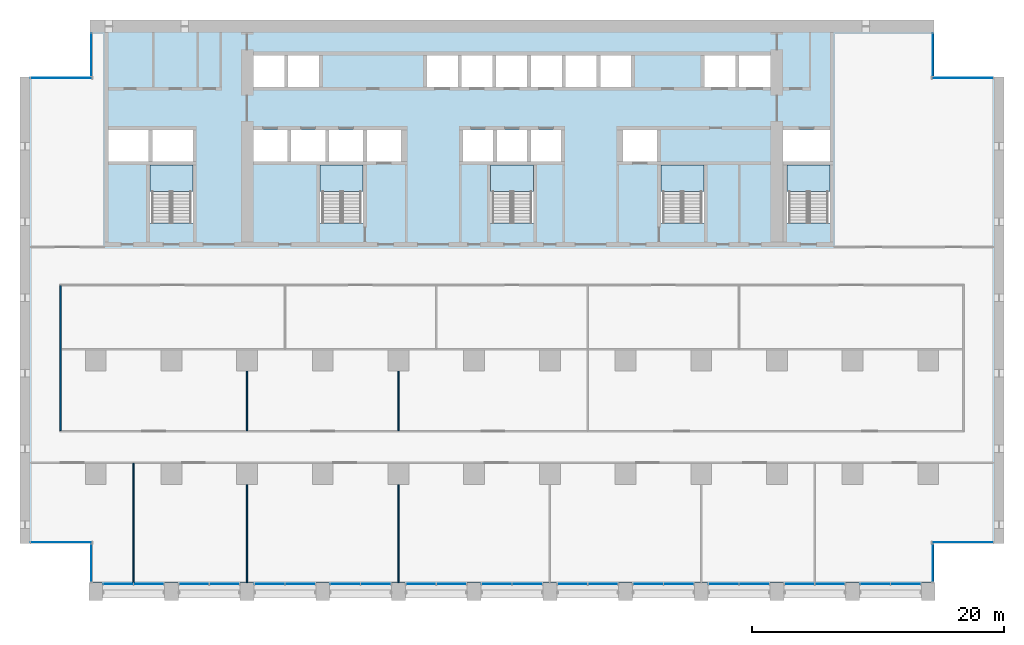
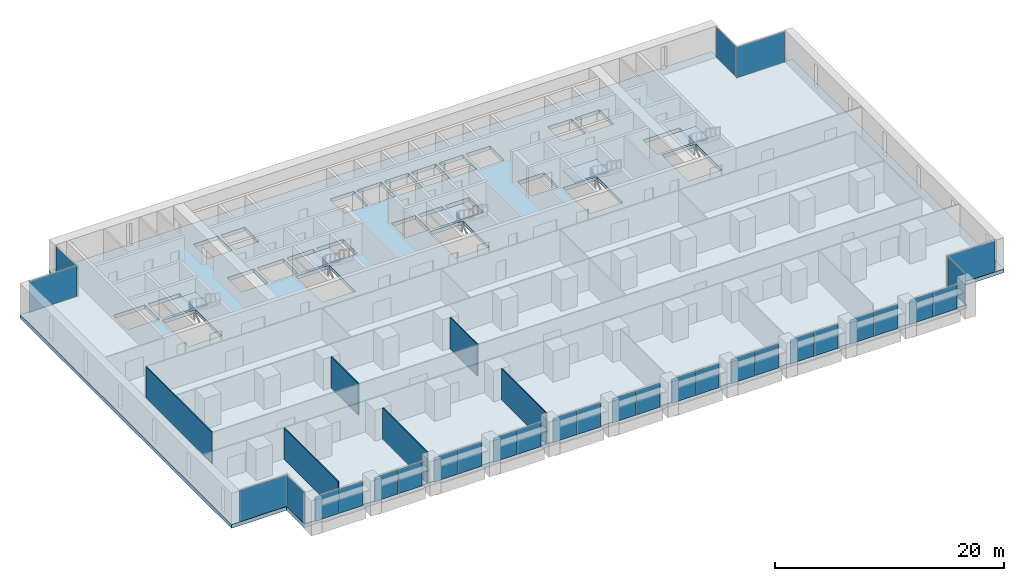
# One storey, part 7 of 18: 30 plates, 6 slabs, 6 walls, 24 elements without a shape of their own.
"""IFC4 building model written with IfcOpenShell, lengths in metres."""

from ifc_helpers import new_model, si_unit, direction, frame, frame_2d, origin, origin_2d, place, context, subcontext, project, spatial, polyline, rectangle, outline, extrude, material, layer, layer_set, type_object, element, aggregate, save


model = new_model("IFC4")

# Units and contexts
model_context = context("Model", 3, precision=1e-05, world=origin(), true_north=direction((0.0, 1.0)))
body_context = subcontext(model_context, "Body", "Model", "MODEL_VIEW")
ifc_project = project(units=[si_unit("LENGTHUNIT", "METRE"), si_unit("AREAUNIT", "SQUARE_METRE"), si_unit("VOLUMEUNIT", "CUBIC_METRE"), si_unit("PLANEANGLEUNIT", "RADIAN"), si_unit("MASSUNIT", "GRAM", prefix="KILO")], contexts=[model_context])

# Site, building, storey
site_placement = place(None, origin())
site = spatial("IfcSite", under=ifc_project, at=site_placement, CompositionType="ELEMENT")
building_placement = place(site_placement, origin())
building = spatial("IfcBuilding", under=site, at=building_placement, Name="Calvaro Tower", CompositionType="ELEMENT")
storey_placement = place(building_placement, frame((0.0, 0.0, 56.25)))
storey = spatial("IfcBuildingStorey", under=building, at=storey_placement, Name="L13", CompositionType="ELEMENT", Elevation=56.25)

# Slab
ifc_material_1 = material(Name="Concrete C40/50", Category="concrete")
ifc_layer_1 = layer(ifc_material_1, 0.39990234375)
ifc_layer_set_1 = layer_set([ifc_layer_1], Name="Concrete C40/50")
slab_type_1 = type_object("IfcSlabType", Name="Floor slab 400 C40/50", PredefinedType="FLOOR", material=ifc_layer_set_1)
slab_1_placement = place(storey_placement, frame((0.0, 0.0, -0.39990234375)))
element("IfcSlab", 1, at=slab_1_placement, inside=storey, type_object=slab_type_1, Name="Floor slab", PredefinedType="FLOOR", context=body_context, shape_type="SweptSolid", body=[
    extrude(outline(polyline([(72.449951171875, 4.5), (72.449951171875, 1.39990234375), (5.550048828125, 1.39990234375), (5.550048828125, 4.5), (0.0, 4.5), (0.0, 41.5), (5.550048828125, 41.5), (5.550048828125, 46.0), (72.449951171875, 46.0), (72.449951171875, 41.5), (78.0, 41.5), (78.0, 4.5), (72.449951171875, 4.5)]), holes=[polyline([(10.300048828125, 29.909912109375), (10.300048828125, 34.5), (12.0, 34.5), (13.699951171875, 34.5), (13.699951171875, 29.909912109375), (12.0, 29.909912109375), (10.300048828125, 29.909912109375)]), polyline([(23.800048828125, 29.909912109375), (23.800048828125, 34.5), (25.5, 34.5), (27.199951171875, 34.5), (27.199951171875, 29.909912109375), (25.5, 29.909912109375), (23.800048828125, 29.909912109375)]), polyline([(37.300048828125, 29.909912109375), (37.300048828125, 34.5), (39.0, 34.5), (40.699951171875, 34.5), (40.699951171875, 29.909912109375), (39.0, 29.909912109375), (37.300048828125, 29.909912109375)]), polyline([(50.800048828125, 29.909912109375), (50.800048828125, 34.5), (52.5, 34.5), (54.199951171875, 34.5), (54.199951171875, 29.909912109375), (52.5, 29.909912109375), (50.800048828125, 29.909912109375)]), polyline([(60.800048828125, 29.909912109375), (60.800048828125, 34.5), (62.5, 34.5), (64.199951171875, 34.5), (64.199951171875, 29.909912109375), (62.5, 29.909912109375), (60.800048828125, 29.909912109375)]), polyline([(18.5, 34.800048828125), (21.199951171875, 34.800048828125), (21.199951171875, 37.300048828125), (18.5, 37.300048828125), (18.5, 34.800048828125)]), polyline([(21.5, 34.800048828125), (24.199951171875, 34.800048828125), (24.199951171875, 37.300048828125), (21.5, 37.300048828125), (21.5, 34.800048828125)]), polyline([(24.5, 34.800048828125), (27.199951171875, 34.800048828125), (27.199951171875, 37.300048828125), (24.5, 37.300048828125), (24.5, 34.800048828125)]), polyline([(35.10009765625, 34.800048828125), (37.5, 34.800048828125), (37.5, 37.300048828125), (35.10009765625, 37.300048828125), (35.10009765625, 34.800048828125)]), polyline([(37.800048828125, 34.800048828125), (40.199951171875, 34.800048828125), (40.199951171875, 37.300048828125), (37.800048828125, 37.300048828125), (37.800048828125, 34.800048828125)]), polyline([(40.5, 34.800048828125), (42.89990234375, 34.800048828125), (42.89990234375, 37.300048828125), (40.5, 37.300048828125), (40.5, 34.800048828125)]), polyline([(18.5, 40.699951171875), (20.949951171875, 40.699951171875), (20.949951171875, 43.199951171875), (18.5, 43.199951171875), (18.5, 40.699951171875)]), polyline([(21.25, 40.699951171875), (23.699951171875, 40.699951171875), (23.699951171875, 43.199951171875), (21.25, 43.199951171875), (21.25, 40.699951171875)]), polyline([(32.25, 40.699951171875), (34.699951171875, 40.699951171875), (34.699951171875, 43.199951171875), (32.25, 43.199951171875), (32.25, 40.699951171875)]), polyline([(35.0, 40.699951171875), (37.449951171875, 40.699951171875), (37.449951171875, 43.199951171875), (35.0, 43.199951171875), (35.0, 40.699951171875)]), polyline([(37.75, 40.699951171875), (40.199951171875, 40.699951171875), (40.199951171875, 43.199951171875), (37.75, 43.199951171875), (37.75, 40.699951171875)]), polyline([(40.5, 40.699951171875), (42.949951171875, 40.699951171875), (42.949951171875, 43.199951171875), (40.5, 43.199951171875), (40.5, 40.699951171875)]), polyline([(43.25, 40.699951171875), (45.699951171875, 40.699951171875), (45.699951171875, 43.199951171875), (43.25, 43.199951171875), (43.25, 40.699951171875)]), polyline([(46.0, 40.699951171875), (48.449951171875, 40.699951171875), (48.449951171875, 43.199951171875), (46.0, 43.199951171875), (46.0, 40.699951171875)]), polyline([(54.25, 40.699951171875), (56.699951171875, 40.699951171875), (56.699951171875, 43.199951171875), (54.25, 43.199951171875), (54.25, 40.699951171875)]), polyline([(57.0, 40.699951171875), (59.5, 40.699951171875), (59.5, 43.199951171875), (57.0, 43.199951171875), (57.0, 40.699951171875)]), polyline([(7.0, 34.800048828125), (10.199951171875, 34.800048828125), (10.199951171875, 37.300048828125), (7.0, 37.300048828125), (7.0, 34.800048828125)]), polyline([(10.5, 34.800048828125), (13.699951171875, 34.800048828125), (13.699951171875, 37.300048828125), (10.5, 37.300048828125), (10.5, 34.800048828125)]), polyline([(60.5, 34.800048828125), (64.199951171875, 34.800048828125), (64.199951171875, 37.300048828125), (60.5, 37.300048828125), (60.5, 34.800048828125)]), polyline([(27.5, 34.800048828125), (30.199951171875, 34.800048828125), (30.199951171875, 37.300048828125), (27.5, 37.300048828125), (27.5, 34.800048828125)]), polyline([(47.800048828125, 34.800048828125), (50.5, 34.800048828125), (50.5, 37.300048828125), (47.800048828125, 37.300048828125), (47.800048828125, 34.800048828125)])]), origin(), (0.0, 0.0, 1.0), 0.39990234375),
])

# Curtain wall, plates
ifc_material_2 = material(Name="Anodised aluminium", Category="aluminium")
curtain_wall_type = type_object("IfcCurtainWallType", Name="Office curtain wall, lower zone", PredefinedType="NOTDEFINED", material=ifc_material_2)
curtain_wall_1_placement = place(storey_placement, origin())
curtain_wall_1 = element("IfcCurtainWall", 2, at=curtain_wall_1_placement, inside=storey, type_object=curtain_wall_type, Name="CW1 south curtain wall", PredefinedType="NOTDEFINED")
ifc_material_3 = material(Name="Glass", Category="glass")
ifc_layer_2 = layer(ifc_material_3, 0.028076171875)
ifc_layer_set_2 = layer_set([ifc_layer_2], Name="Glass")
plate_type = type_object("IfcPlateType", Name="Glass panel S1 28", PredefinedType="CURTAIN_PANEL", material=ifc_layer_set_2)
plate_1_placement = place(storey_placement, frame((7.7900390625, 1.300048828125, 0.0), z_axis=(0.0, 0.0, 1.0), x_axis=(1.0, 0.0, 0.0)))
plate_1 = element("IfcPlate", 3, at=plate_1_placement, type_object=plate_type, Name="CW1 glass panel 1.1", PredefinedType="CURTAIN_PANEL", context=body_context, shape_type="SweptSolid", body=[
    extrude(rectangle(XDim=2.360107421875, YDim=0.028076171875, at=origin_2d()), origin(), (0.0, 0.0, 1.0), 2.550048828125),
])
plate_2_placement = place(storey_placement, frame((10.2099609375, 1.300048828125, 0.0), z_axis=(0.0, 0.0, 1.0), x_axis=(1.0, 0.0, 0.0)))
plate_2 = element("IfcPlate", 4, at=plate_2_placement, type_object=plate_type, Name="CW1 glass panel 2.1", PredefinedType="CURTAIN_PANEL", context=body_context, shape_type="SweptSolid", body=[
    extrude(rectangle(XDim=2.360107421875, YDim=0.028076171875, at=origin_2d()), origin(), (0.0, 0.0, 1.0), 2.550048828125),
])
aggregate(curtain_wall_1, [plate_1, plate_2])

curtain_wall_2_placement = place(storey_placement, origin())
curtain_wall_2 = element("IfcCurtainWall", 5, at=curtain_wall_2_placement, inside=storey, type_object=curtain_wall_type, Name="CW1 south curtain wall", PredefinedType="NOTDEFINED")
plate_3_placement = place(storey_placement, frame((13.7900390625, 1.300048828125, 0.0), z_axis=(0.0, 0.0, 1.0), x_axis=(1.0, 0.0, 0.0)))
plate_3 = element("IfcPlate", 6, at=plate_3_placement, type_object=plate_type, Name="CW1 glass panel 1.1", PredefinedType="CURTAIN_PANEL", context=body_context, shape_type="SweptSolid", body=[
    extrude(rectangle(XDim=2.360107421875, YDim=0.028076171875, at=origin_2d()), origin(), (0.0, 0.0, 1.0), 2.550048828125),
])
plate_4_placement = place(storey_placement, frame((16.2099609375, 1.300048828125, 0.0), z_axis=(0.0, 0.0, 1.0), x_axis=(1.0, 0.0, 0.0)))
plate_4 = element("IfcPlate", 7, at=plate_4_placement, type_object=plate_type, Name="CW1 glass panel 2.1", PredefinedType="CURTAIN_PANEL", context=body_context, shape_type="SweptSolid", body=[
    extrude(rectangle(XDim=2.360107421875, YDim=0.028076171875, at=origin_2d()), origin(), (0.0, 0.0, 1.0), 2.550048828125),
])
aggregate(curtain_wall_2, [plate_3, plate_4])

curtain_wall_3_placement = place(storey_placement, origin())
curtain_wall_3 = element("IfcCurtainWall", 8, at=curtain_wall_3_placement, inside=storey, type_object=curtain_wall_type, Name="CW1 south curtain wall", PredefinedType="NOTDEFINED")
plate_5_placement = place(storey_placement, frame((19.7900390625, 1.300048828125, 0.0), z_axis=(0.0, 0.0, 1.0), x_axis=(1.0, 0.0, 0.0)))
plate_5 = element("IfcPlate", 9, at=plate_5_placement, type_object=plate_type, Name="CW1 glass panel 1.1", PredefinedType="CURTAIN_PANEL", context=body_context, shape_type="SweptSolid", body=[
    extrude(rectangle(XDim=2.360107421875, YDim=0.028076171875, at=origin_2d()), origin(), (0.0, 0.0, 1.0), 2.550048828125),
])
plate_6_placement = place(storey_placement, frame((22.2099609375, 1.300048828125, 0.0), z_axis=(0.0, 0.0, 1.0), x_axis=(1.0, 0.0, 0.0)))
plate_6 = element("IfcPlate", 10, at=plate_6_placement, type_object=plate_type, Name="CW1 glass panel 2.1", PredefinedType="CURTAIN_PANEL", context=body_context, shape_type="SweptSolid", body=[
    extrude(rectangle(XDim=2.360107421875, YDim=0.028076171875, at=origin_2d()), origin(), (0.0, 0.0, 1.0), 2.550048828125),
])
aggregate(curtain_wall_3, [plate_5, plate_6])

curtain_wall_4_placement = place(storey_placement, origin())
curtain_wall_4 = element("IfcCurtainWall", 11, at=curtain_wall_4_placement, inside=storey, type_object=curtain_wall_type, Name="CW1 south curtain wall", PredefinedType="NOTDEFINED")
plate_7_placement = place(storey_placement, frame((25.7900390625, 1.300048828125, 0.0), z_axis=(0.0, 0.0, 1.0), x_axis=(1.0, 0.0, 0.0)))
plate_7 = element("IfcPlate", 12, at=plate_7_placement, type_object=plate_type, Name="CW1 glass panel 1.1", PredefinedType="CURTAIN_PANEL", context=body_context, shape_type="SweptSolid", body=[
    extrude(rectangle(XDim=2.360107421875, YDim=0.028076171875, at=origin_2d()), origin(), (0.0, 0.0, 1.0), 2.550048828125),
])
plate_8_placement = place(storey_placement, frame((28.2099609375, 1.300048828125, 0.0), z_axis=(0.0, 0.0, 1.0), x_axis=(1.0, 0.0, 0.0)))
plate_8 = element("IfcPlate", 13, at=plate_8_placement, type_object=plate_type, Name="CW1 glass panel 2.1", PredefinedType="CURTAIN_PANEL", context=body_context, shape_type="SweptSolid", body=[
    extrude(rectangle(XDim=2.360107421875, YDim=0.028076171875, at=origin_2d()), origin(), (0.0, 0.0, 1.0), 2.550048828125),
])
aggregate(curtain_wall_4, [plate_7, plate_8])

curtain_wall_5_placement = place(storey_placement, origin())
curtain_wall_5 = element("IfcCurtainWall", 14, at=curtain_wall_5_placement, inside=storey, type_object=curtain_wall_type, Name="CW1 south curtain wall", PredefinedType="NOTDEFINED")
plate_9_placement = place(storey_placement, frame((31.7900390625, 1.300048828125, 0.0), z_axis=(0.0, 0.0, 1.0), x_axis=(1.0, 0.0, 0.0)))
plate_9 = element("IfcPlate", 15, at=plate_9_placement, type_object=plate_type, Name="CW1 glass panel 1.1", PredefinedType="CURTAIN_PANEL", context=body_context, shape_type="SweptSolid", body=[
    extrude(rectangle(XDim=2.360107421875, YDim=0.028076171875, at=origin_2d()), origin(), (0.0, 0.0, 1.0), 2.550048828125),
])
plate_10_placement = place(storey_placement, frame((34.2099609375, 1.300048828125, 0.0), z_axis=(0.0, 0.0, 1.0), x_axis=(1.0, 0.0, 0.0)))
plate_10 = element("IfcPlate", 16, at=plate_10_placement, type_object=plate_type, Name="CW1 glass panel 2.1", PredefinedType="CURTAIN_PANEL", context=body_context, shape_type="SweptSolid", body=[
    extrude(rectangle(XDim=2.360107421875, YDim=0.028076171875, at=origin_2d()), origin(), (0.0, 0.0, 1.0), 2.550048828125),
])
aggregate(curtain_wall_5, [plate_9, plate_10])

curtain_wall_6_placement = place(storey_placement, origin())
curtain_wall_6 = element("IfcCurtainWall", 17, at=curtain_wall_6_placement, inside=storey, type_object=curtain_wall_type, Name="CW1 south curtain wall", PredefinedType="NOTDEFINED")
plate_11_placement = place(storey_placement, frame((37.7900390625, 1.300048828125, 0.0), z_axis=(0.0, 0.0, 1.0), x_axis=(1.0, 0.0, 0.0)))
plate_11 = element("IfcPlate", 18, at=plate_11_placement, type_object=plate_type, Name="CW1 glass panel 1.1", PredefinedType="CURTAIN_PANEL", context=body_context, shape_type="SweptSolid", body=[
    extrude(rectangle(XDim=2.360107421875, YDim=0.028076171875, at=origin_2d()), origin(), (0.0, 0.0, 1.0), 2.550048828125),
])
plate_12_placement = place(storey_placement, frame((40.2099609375, 1.300048828125, 0.0), z_axis=(0.0, 0.0, 1.0), x_axis=(1.0, 0.0, 0.0)))
plate_12 = element("IfcPlate", 19, at=plate_12_placement, type_object=plate_type, Name="CW1 glass panel 2.1", PredefinedType="CURTAIN_PANEL", context=body_context, shape_type="SweptSolid", body=[
    extrude(rectangle(XDim=2.360107421875, YDim=0.028076171875, at=origin_2d()), origin(), (0.0, 0.0, 1.0), 2.550048828125),
])
aggregate(curtain_wall_6, [plate_11, plate_12])

curtain_wall_7_placement = place(storey_placement, origin())
curtain_wall_7 = element("IfcCurtainWall", 20, at=curtain_wall_7_placement, inside=storey, type_object=curtain_wall_type, Name="CW1 south curtain wall", PredefinedType="NOTDEFINED")
plate_13_placement = place(storey_placement, frame((43.7900390625, 1.300048828125, 0.0), z_axis=(0.0, 0.0, 1.0), x_axis=(1.0, 0.0, 0.0)))
plate_13 = element("IfcPlate", 21, at=plate_13_placement, type_object=plate_type, Name="CW1 glass panel 1.1", PredefinedType="CURTAIN_PANEL", context=body_context, shape_type="SweptSolid", body=[
    extrude(rectangle(XDim=2.360107421875, YDim=0.028076171875, at=origin_2d()), origin(), (0.0, 0.0, 1.0), 2.550048828125),
])
plate_14_placement = place(storey_placement, frame((46.2099609375, 1.300048828125, 0.0), z_axis=(0.0, 0.0, 1.0), x_axis=(1.0, 0.0, 0.0)))
plate_14 = element("IfcPlate", 22, at=plate_14_placement, type_object=plate_type, Name="CW1 glass panel 2.1", PredefinedType="CURTAIN_PANEL", context=body_context, shape_type="SweptSolid", body=[
    extrude(rectangle(XDim=2.360107421875, YDim=0.028076171875, at=origin_2d()), origin(), (0.0, 0.0, 1.0), 2.550048828125),
])
aggregate(curtain_wall_7, [plate_13, plate_14])

curtain_wall_8_placement = place(storey_placement, origin())
curtain_wall_8 = element("IfcCurtainWall", 23, at=curtain_wall_8_placement, inside=storey, type_object=curtain_wall_type, Name="CW1 south curtain wall", PredefinedType="NOTDEFINED")
plate_15_placement = place(storey_placement, frame((49.7900390625, 1.300048828125, 0.0), z_axis=(0.0, 0.0, 1.0), x_axis=(1.0, 0.0, 0.0)))
plate_15 = element("IfcPlate", 24, at=plate_15_placement, type_object=plate_type, Name="CW1 glass panel 1.1", PredefinedType="CURTAIN_PANEL", context=body_context, shape_type="SweptSolid", body=[
    extrude(rectangle(XDim=2.360107421875, YDim=0.028076171875, at=origin_2d()), origin(), (0.0, 0.0, 1.0), 2.550048828125),
])
plate_16_placement = place(storey_placement, frame((52.2099609375, 1.300048828125, 0.0), z_axis=(0.0, 0.0, 1.0), x_axis=(1.0, 0.0, 0.0)))
plate_16 = element("IfcPlate", 25, at=plate_16_placement, type_object=plate_type, Name="CW1 glass panel 2.1", PredefinedType="CURTAIN_PANEL", context=body_context, shape_type="SweptSolid", body=[
    extrude(rectangle(XDim=2.360107421875, YDim=0.028076171875, at=origin_2d()), origin(), (0.0, 0.0, 1.0), 2.550048828125),
])
aggregate(curtain_wall_8, [plate_15, plate_16])

curtain_wall_9_placement = place(storey_placement, origin())
curtain_wall_9 = element("IfcCurtainWall", 26, at=curtain_wall_9_placement, inside=storey, type_object=curtain_wall_type, Name="CW1 south curtain wall", PredefinedType="NOTDEFINED")
plate_17_placement = place(storey_placement, frame((55.7900390625, 1.300048828125, 0.0), z_axis=(0.0, 0.0, 1.0), x_axis=(1.0, 0.0, 0.0)))
plate_17 = element("IfcPlate", 27, at=plate_17_placement, type_object=plate_type, Name="CW1 glass panel 1.1", PredefinedType="CURTAIN_PANEL", context=body_context, shape_type="SweptSolid", body=[
    extrude(rectangle(XDim=2.360107421875, YDim=0.028076171875, at=origin_2d()), origin(), (0.0, 0.0, 1.0), 2.550048828125),
])
plate_18_placement = place(storey_placement, frame((58.2099609375, 1.300048828125, 0.0), z_axis=(0.0, 0.0, 1.0), x_axis=(1.0, 0.0, 0.0)))
plate_18 = element("IfcPlate", 28, at=plate_18_placement, type_object=plate_type, Name="CW1 glass panel 2.1", PredefinedType="CURTAIN_PANEL", context=body_context, shape_type="SweptSolid", body=[
    extrude(rectangle(XDim=2.360107421875, YDim=0.028076171875, at=origin_2d()), origin(), (0.0, 0.0, 1.0), 2.550048828125),
])
aggregate(curtain_wall_9, [plate_17, plate_18])

curtain_wall_10_placement = place(storey_placement, origin())
curtain_wall_10 = element("IfcCurtainWall", 29, at=curtain_wall_10_placement, inside=storey, type_object=curtain_wall_type, Name="CW1 south curtain wall", PredefinedType="NOTDEFINED")
plate_19_placement = place(storey_placement, frame((61.7900390625, 1.300048828125, 0.0), z_axis=(0.0, 0.0, 1.0), x_axis=(1.0, 0.0, 0.0)))
plate_19 = element("IfcPlate", 30, at=plate_19_placement, type_object=plate_type, Name="CW1 glass panel 1.1", PredefinedType="CURTAIN_PANEL", context=body_context, shape_type="SweptSolid", body=[
    extrude(rectangle(XDim=2.360107421875, YDim=0.028076171875, at=origin_2d()), origin(), (0.0, 0.0, 1.0), 2.550048828125),
])
plate_20_placement = place(storey_placement, frame((64.2099609375, 1.300048828125, 0.0), z_axis=(0.0, 0.0, 1.0), x_axis=(1.0, 0.0, 0.0)))
plate_20 = element("IfcPlate", 31, at=plate_20_placement, type_object=plate_type, Name="CW1 glass panel 2.1", PredefinedType="CURTAIN_PANEL", context=body_context, shape_type="SweptSolid", body=[
    extrude(rectangle(XDim=2.360107421875, YDim=0.028076171875, at=origin_2d()), origin(), (0.0, 0.0, 1.0), 2.550048828125),
])
aggregate(curtain_wall_10, [plate_19, plate_20])

curtain_wall_11_placement = place(storey_placement, origin())
curtain_wall_11 = element("IfcCurtainWall", 32, at=curtain_wall_11_placement, inside=storey, type_object=curtain_wall_type, Name="CW1 south curtain wall", PredefinedType="NOTDEFINED")
plate_21_placement = place(storey_placement, frame((67.7900390625, 1.300048828125, 0.0), z_axis=(0.0, 0.0, 1.0), x_axis=(1.0, 0.0, 0.0)))
plate_21 = element("IfcPlate", 33, at=plate_21_placement, type_object=plate_type, Name="CW1 glass panel 1.1", PredefinedType="CURTAIN_PANEL", context=body_context, shape_type="SweptSolid", body=[
    extrude(rectangle(XDim=2.360107421875, YDim=0.028076171875, at=origin_2d()), origin(), (0.0, 0.0, 1.0), 2.550048828125),
])
plate_22_placement = place(storey_placement, frame((70.2099609375, 1.300048828125, 0.0), z_axis=(0.0, 0.0, 1.0), x_axis=(1.0, 0.0, 0.0)))
plate_22 = element("IfcPlate", 34, at=plate_22_placement, type_object=plate_type, Name="CW1 glass panel 2.1", PredefinedType="CURTAIN_PANEL", context=body_context, shape_type="SweptSolid", body=[
    extrude(rectangle(XDim=2.360107421875, YDim=0.028076171875, at=origin_2d()), origin(), (0.0, 0.0, 1.0), 2.550048828125),
])
aggregate(curtain_wall_11, [plate_21, plate_22])

# Curtain wall, plate
curtain_wall_12_placement = place(storey_placement, origin())
curtain_wall_12 = element("IfcCurtainWall", 35, at=curtain_wall_12_placement, inside=storey, type_object=curtain_wall_type, Name="CW1 corner curtain wall", PredefinedType="NOTDEFINED")
plate_23_placement = place(storey_placement, frame((5.64990234375, 2.949951171875, 0.0), z_axis=(0.0, 0.0, 1.0), x_axis=(0.0, 1.0, 0.0)))
plate_23 = element("IfcPlate", 36, at=plate_23_placement, type_object=plate_type, Name="CW1 glass panel 1.1", PredefinedType="CURTAIN_PANEL", context=body_context, shape_type="SweptSolid", body=[
    extrude(rectangle(XDim=2.97998046875, YDim=0.028076171875, at=origin_2d()), origin(), (0.0, 0.0, 1.0), 3.25),
])
aggregate(curtain_wall_12, [plate_23])

curtain_wall_13_placement = place(storey_placement, origin())
curtain_wall_13 = element("IfcCurtainWall", 37, at=curtain_wall_13_placement, inside=storey, type_object=curtain_wall_type, Name="CW1 corner curtain wall", PredefinedType="NOTDEFINED")
plate_24_placement = place(storey_placement, frame((3.27490234375, 4.60009765625, 0.0), z_axis=(0.0, 0.0, 1.0), x_axis=(1.0, 0.0, 0.0)))
plate_24 = element("IfcPlate", 38, at=plate_24_placement, type_object=plate_type, Name="CW1 glass panel 1.1", PredefinedType="CURTAIN_PANEL", context=body_context, shape_type="SweptSolid", body=[
    extrude(rectangle(XDim=4.830078125, YDim=0.028076171875, at=origin_2d()), origin(), (0.0, 0.0, 1.0), 3.25),
])
aggregate(curtain_wall_13, [plate_24])

curtain_wall_14_placement = place(storey_placement, origin())
curtain_wall_14 = element("IfcCurtainWall", 39, at=curtain_wall_14_placement, inside=storey, type_object=curtain_wall_type, Name="CW1 corner curtain wall", PredefinedType="NOTDEFINED")
plate_25_placement = place(storey_placement, frame((5.64990234375, 43.25, 0.0), z_axis=(0.0, 0.0, 1.0), x_axis=(0.0, 1.0, 0.0)))
plate_25 = element("IfcPlate", 40, at=plate_25_placement, type_object=plate_type, Name="CW1 glass panel 1.1", PredefinedType="CURTAIN_PANEL", context=body_context, shape_type="SweptSolid", body=[
    extrude(rectangle(XDim=3.3798828125, YDim=0.028076171875, at=origin_2d()), origin(), (0.0, 0.0, 1.0), 3.25),
])
aggregate(curtain_wall_14, [plate_25])

curtain_wall_15_placement = place(storey_placement, origin())
curtain_wall_15 = element("IfcCurtainWall", 41, at=curtain_wall_15_placement, inside=storey, type_object=curtain_wall_type, Name="CW1 corner curtain wall", PredefinedType="NOTDEFINED")
plate_26_placement = place(storey_placement, frame((3.27490234375, 41.39990234375, 0.0), z_axis=(0.0, 0.0, 1.0), x_axis=(1.0, 0.0, 0.0)))
plate_26 = element("IfcPlate", 42, at=plate_26_placement, type_object=plate_type, Name="CW1 glass panel 1.1", PredefinedType="CURTAIN_PANEL", context=body_context, shape_type="SweptSolid", body=[
    extrude(rectangle(XDim=4.830078125, YDim=0.028076171875, at=origin_2d()), origin(), (0.0, 0.0, 1.0), 3.25),
])
aggregate(curtain_wall_15, [plate_26])

curtain_wall_16_placement = place(storey_placement, origin())
curtain_wall_16 = element("IfcCurtainWall", 43, at=curtain_wall_16_placement, inside=storey, type_object=curtain_wall_type, Name="CW1 corner curtain wall", PredefinedType="NOTDEFINED")
plate_27_placement = place(storey_placement, frame((72.35009765625, 2.949951171875, 0.0), z_axis=(0.0, 0.0, 1.0), x_axis=(0.0, 1.0, 0.0)))
plate_27 = element("IfcPlate", 44, at=plate_27_placement, type_object=plate_type, Name="CW1 glass panel 1.1", PredefinedType="CURTAIN_PANEL", context=body_context, shape_type="SweptSolid", body=[
    extrude(rectangle(XDim=2.97998046875, YDim=0.028076171875, at=origin_2d()), origin(), (0.0, 0.0, 1.0), 3.25),
])
aggregate(curtain_wall_16, [plate_27])

curtain_wall_17_placement = place(storey_placement, origin())
curtain_wall_17 = element("IfcCurtainWall", 45, at=curtain_wall_17_placement, inside=storey, type_object=curtain_wall_type, Name="CW1 corner curtain wall", PredefinedType="NOTDEFINED")
plate_28_placement = place(storey_placement, frame((74.72509765625, 4.60009765625, 0.0), z_axis=(0.0, 0.0, 1.0), x_axis=(1.0, 0.0, 0.0)))
plate_28 = element("IfcPlate", 46, at=plate_28_placement, type_object=plate_type, Name="CW1 glass panel 1.1", PredefinedType="CURTAIN_PANEL", context=body_context, shape_type="SweptSolid", body=[
    extrude(rectangle(XDim=4.830078125, YDim=0.028076171875, at=origin_2d()), origin(), (0.0, 0.0, 1.0), 3.25),
])
aggregate(curtain_wall_17, [plate_28])

curtain_wall_18_placement = place(storey_placement, origin())
curtain_wall_18 = element("IfcCurtainWall", 47, at=curtain_wall_18_placement, inside=storey, type_object=curtain_wall_type, Name="CW1 corner curtain wall", PredefinedType="NOTDEFINED")
plate_29_placement = place(storey_placement, frame((72.35009765625, 43.25, 0.0), z_axis=(0.0, 0.0, 1.0), x_axis=(0.0, 1.0, 0.0)))
plate_29 = element("IfcPlate", 48, at=plate_29_placement, type_object=plate_type, Name="CW1 glass panel 1.1", PredefinedType="CURTAIN_PANEL", context=body_context, shape_type="SweptSolid", body=[
    extrude(rectangle(XDim=3.3798828125, YDim=0.028076171875, at=origin_2d()), origin(), (0.0, 0.0, 1.0), 3.25),
])
aggregate(curtain_wall_18, [plate_29])

curtain_wall_19_placement = place(storey_placement, origin())
curtain_wall_19 = element("IfcCurtainWall", 49, at=curtain_wall_19_placement, inside=storey, type_object=curtain_wall_type, Name="CW1 corner curtain wall", PredefinedType="NOTDEFINED")
plate_30_placement = place(storey_placement, frame((74.72509765625, 41.39990234375, 0.0), z_axis=(0.0, 0.0, 1.0), x_axis=(1.0, 0.0, 0.0)))
plate_30 = element("IfcPlate", 50, at=plate_30_placement, type_object=plate_type, Name="CW1 glass panel 1.1", PredefinedType="CURTAIN_PANEL", context=body_context, shape_type="SweptSolid", body=[
    extrude(rectangle(XDim=4.830078125, YDim=0.028076171875, at=origin_2d()), origin(), (0.0, 0.0, 1.0), 3.25),
])
aggregate(curtain_wall_19, [plate_30])

# Stair, slab
ifc_material_4 = material(Name="Concrete C40/50", Category="concrete")
stair_type = type_object("IfcStairType", Name="Exit stair 1400 2 flights", PredefinedType="HALF_TURN_STAIR", material=ifc_material_4)
stair_1_placement = place(storey_placement, origin())
stair_1 = element("IfcStair", 51, at=stair_1_placement, inside=storey, type_object=stair_type, Name="Exit stair S1", PredefinedType="HALF_TURN_STAIR")
ifc_material_5 = material(Name="Concrete C40/50", Category="concrete")
ifc_layer_3 = layer(ifc_material_5, 0.199951171875)
ifc_layer_set_3 = layer_set([ifc_layer_3], Name="Concrete C40/50")
slab_type_2 = type_object("IfcSlabType", Name="Stair landing", PredefinedType="LANDING", material=ifc_layer_set_3)
slab_2_placement = place(storey_placement, frame((0.0, 0.0, 1.675048828125)))
slab_2 = element("IfcSlab", 52, at=slab_2_placement, type_object=slab_type_2, Name="Exit stair 1, landing 1", PredefinedType="LANDING", context=body_context, shape_type="SweptSolid", body=[
    extrude(outline(polyline([(11.89990234375, 32.389892578125), (10.5, 32.389892578125), (10.5, 32.39990234375), (10.300048828125, 32.39990234375), (10.300048828125, 34.5), (10.5, 34.5), (11.89990234375, 34.5), (12.10009765625, 34.5), (13.5, 34.5), (13.699951171875, 34.5), (13.699951171875, 32.39990234375), (13.5, 32.39990234375), (13.5, 32.389892578125), (12.10009765625, 32.389892578125), (12.10009765625, 32.39990234375), (11.89990234375, 32.39990234375), (11.89990234375, 32.389892578125)])), origin(), (0.0, 0.0, 1.0), 0.199951171875),
])
aggregate(stair_1, [slab_2])

stair_2_placement = place(storey_placement, origin())
stair_2 = element("IfcStair", 53, at=stair_2_placement, inside=storey, type_object=stair_type, Name="Exit stair S2", PredefinedType="HALF_TURN_STAIR")
slab_3_placement = place(storey_placement, frame((0.0, 0.0, 1.675048828125)))
slab_3 = element("IfcSlab", 54, at=slab_3_placement, type_object=slab_type_2, Name="Exit stair 2, landing 1", PredefinedType="LANDING", context=body_context, shape_type="SweptSolid", body=[
    extrude(outline(polyline([(25.39990234375, 32.389892578125), (24.0, 32.389892578125), (24.0, 32.39990234375), (23.800048828125, 32.39990234375), (23.800048828125, 34.5), (24.0, 34.5), (25.39990234375, 34.5), (25.60009765625, 34.5), (27.0, 34.5), (27.199951171875, 34.5), (27.199951171875, 32.39990234375), (27.0, 32.39990234375), (27.0, 32.389892578125), (25.60009765625, 32.389892578125), (25.60009765625, 32.39990234375), (25.39990234375, 32.39990234375), (25.39990234375, 32.389892578125)])), origin(), (0.0, 0.0, 1.0), 0.199951171875),
])
aggregate(stair_2, [slab_3])

stair_3_placement = place(storey_placement, origin())
stair_3 = element("IfcStair", 55, at=stair_3_placement, inside=storey, type_object=stair_type, Name="Exit stair S3", PredefinedType="HALF_TURN_STAIR")
slab_4_placement = place(storey_placement, frame((0.0, 0.0, 1.675048828125)))
slab_4 = element("IfcSlab", 56, at=slab_4_placement, type_object=slab_type_2, Name="Exit stair 3, landing 1", PredefinedType="LANDING", context=body_context, shape_type="SweptSolid", body=[
    extrude(outline(polyline([(38.89990234375, 32.389892578125), (37.5, 32.389892578125), (37.5, 32.39990234375), (37.300048828125, 32.39990234375), (37.300048828125, 34.5), (37.5, 34.5), (38.89990234375, 34.5), (39.10009765625, 34.5), (40.5, 34.5), (40.699951171875, 34.5), (40.699951171875, 32.39990234375), (40.5, 32.39990234375), (40.5, 32.389892578125), (39.10009765625, 32.389892578125), (39.10009765625, 32.39990234375), (38.89990234375, 32.39990234375), (38.89990234375, 32.389892578125)])), origin(), (0.0, 0.0, 1.0), 0.199951171875),
])
aggregate(stair_3, [slab_4])

stair_4_placement = place(storey_placement, origin())
stair_4 = element("IfcStair", 57, at=stair_4_placement, inside=storey, type_object=stair_type, Name="Exit stair S4", PredefinedType="HALF_TURN_STAIR")
slab_5_placement = place(storey_placement, frame((0.0, 0.0, 1.675048828125)))
slab_5 = element("IfcSlab", 58, at=slab_5_placement, type_object=slab_type_2, Name="Exit stair 4, landing 1", PredefinedType="LANDING", context=body_context, shape_type="SweptSolid", body=[
    extrude(outline(polyline([(52.39990234375, 32.389892578125), (51.0, 32.389892578125), (51.0, 32.39990234375), (50.800048828125, 32.39990234375), (50.800048828125, 34.5), (51.0, 34.5), (52.39990234375, 34.5), (52.60009765625, 34.5), (54.0, 34.5), (54.199951171875, 34.5), (54.199951171875, 32.39990234375), (54.0, 32.39990234375), (54.0, 32.389892578125), (52.60009765625, 32.389892578125), (52.60009765625, 32.39990234375), (52.39990234375, 32.39990234375), (52.39990234375, 32.389892578125)])), origin(), (0.0, 0.0, 1.0), 0.199951171875),
])
aggregate(stair_4, [slab_5])

stair_5_placement = place(storey_placement, origin())
stair_5 = element("IfcStair", 59, at=stair_5_placement, inside=storey, type_object=stair_type, Name="Exit stair S5", PredefinedType="HALF_TURN_STAIR")
slab_6_placement = place(storey_placement, frame((0.0, 0.0, 1.675048828125)))
slab_6 = element("IfcSlab", 60, at=slab_6_placement, type_object=slab_type_2, Name="Exit stair 5, landing 1", PredefinedType="LANDING", context=body_context, shape_type="SweptSolid", body=[
    extrude(outline(polyline([(62.39990234375, 32.389892578125), (61.0, 32.389892578125), (61.0, 32.39990234375), (60.800048828125, 32.39990234375), (60.800048828125, 34.5), (61.0, 34.5), (62.39990234375, 34.5), (62.60009765625, 34.5), (64.0, 34.5), (64.199951171875, 34.5), (64.199951171875, 32.39990234375), (64.0, 32.39990234375), (64.0, 32.389892578125), (62.60009765625, 32.389892578125), (62.60009765625, 32.39990234375), (62.39990234375, 32.39990234375), (62.39990234375, 32.389892578125)])), origin(), (0.0, 0.0, 1.0), 0.199951171875),
])
aggregate(stair_5, [slab_6])

# Walls
ifc_material_6 = material(Name="Plasterboard on steel studs", Category="steel")
ifc_layer_4 = layer(ifc_material_6, 0.10009765625)
ifc_layer_set_4 = layer_set([ifc_layer_4], Name="Plasterboard on steel studs")
wall_type = type_object("IfcWallType", Name="Partition 100", PredefinedType="PARTITIONING", material=ifc_layer_set_4)
wall_1_placement = place(storey_placement, frame((3.199951171875, 13.449951171875, 0.0), z_axis=(0.0, 0.0, 1.0), x_axis=(0.0, 1.0, 0.0)))
element("IfcWall", 61, at=wall_1_placement, inside=storey, type_object=wall_type, Name="Partition T11.W007", PredefinedType="PARTITIONING", context=body_context, shape_type="SweptSolid", body=[
    extrude(rectangle(XDim=11.5, YDim=0.10009765625, at=frame_2d((5.75, 0.0))), origin(), (0.0, 0.0, 1.0), 3.35009765625),
])
wall_2_placement = place(storey_placement, frame((9.0, 1.39990234375, 0.0), z_axis=(0.0, 0.0, 1.0), x_axis=(0.0, 1.0, 0.0)))
element("IfcWall", 62, at=wall_2_placement, inside=storey, type_object=wall_type, Name="Partition T11.W008", PredefinedType="PARTITIONING", context=body_context, shape_type="SweptSolid", body=[
    extrude(rectangle(XDim=9.4501953125, YDim=0.10009765625, at=frame_2d((4.72509765625, 0.0))), origin(), (0.0, 0.0, 1.0), 3.35009765625),
])
wall_3_placement = place(storey_placement, frame((18.0, 1.39990234375, 0.0), z_axis=(0.0, 0.0, 1.0), x_axis=(0.0, 1.0, 0.0)))
element("IfcWall", 63, at=wall_3_placement, inside=storey, type_object=wall_type, Name="Partition T11.W009", PredefinedType="PARTITIONING", context=body_context, shape_type="SweptSolid", body=[
    extrude(rectangle(XDim=7.775146484375, YDim=0.10009765625, at=frame_2d((3.8876953125, 0.0))), origin(), (0.0, 0.0, 1.0), 3.35009765625),
])
wall_4_placement = place(storey_placement, frame((18.0, 13.449951171875, 0.0), z_axis=(0.0, 0.0, 1.0), x_axis=(0.0, 1.0, 0.0)))
element("IfcWall", 64, at=wall_4_placement, inside=storey, type_object=wall_type, Name="Partition T11.W010", PredefinedType="PARTITIONING", context=body_context, shape_type="SweptSolid", body=[
    extrude(rectangle(XDim=4.72509765625, YDim=0.10009765625, at=frame_2d((2.362548828125, 0.0))), origin(), (0.0, 0.0, 1.0), 3.35009765625),
])
wall_5_placement = place(storey_placement, frame((30.0, 1.39990234375, 0.0), z_axis=(0.0, 0.0, 1.0), x_axis=(0.0, 1.0, 0.0)))
element("IfcWall", 65, at=wall_5_placement, inside=storey, type_object=wall_type, Name="Partition T11.W012", PredefinedType="PARTITIONING", context=body_context, shape_type="SweptSolid", body=[
    extrude(rectangle(XDim=7.775146484375, YDim=0.10009765625, at=frame_2d((3.8876953125, 0.0))), origin(), (0.0, 0.0, 1.0), 3.35009765625),
])
wall_6_placement = place(storey_placement, frame((30.0, 13.449951171875, 0.0), z_axis=(0.0, 0.0, 1.0), x_axis=(0.0, 1.0, 0.0)))
element("IfcWall", 66, at=wall_6_placement, inside=storey, type_object=wall_type, Name="Partition T11.W013", PredefinedType="PARTITIONING", context=body_context, shape_type="SweptSolid", body=[
    extrude(rectangle(XDim=4.72509765625, YDim=0.10009765625, at=frame_2d((2.362548828125, 0.0))), origin(), (0.0, 0.0, 1.0), 3.35009765625),
])

save(model, "model.ifc")
